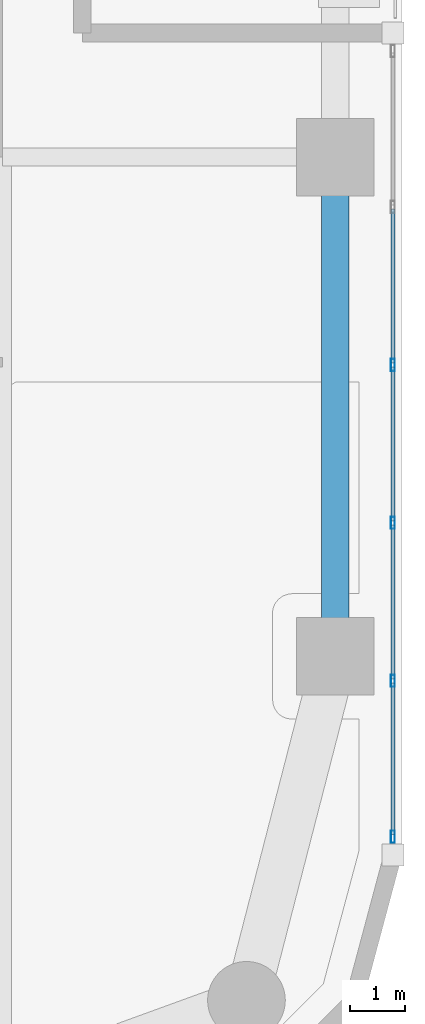
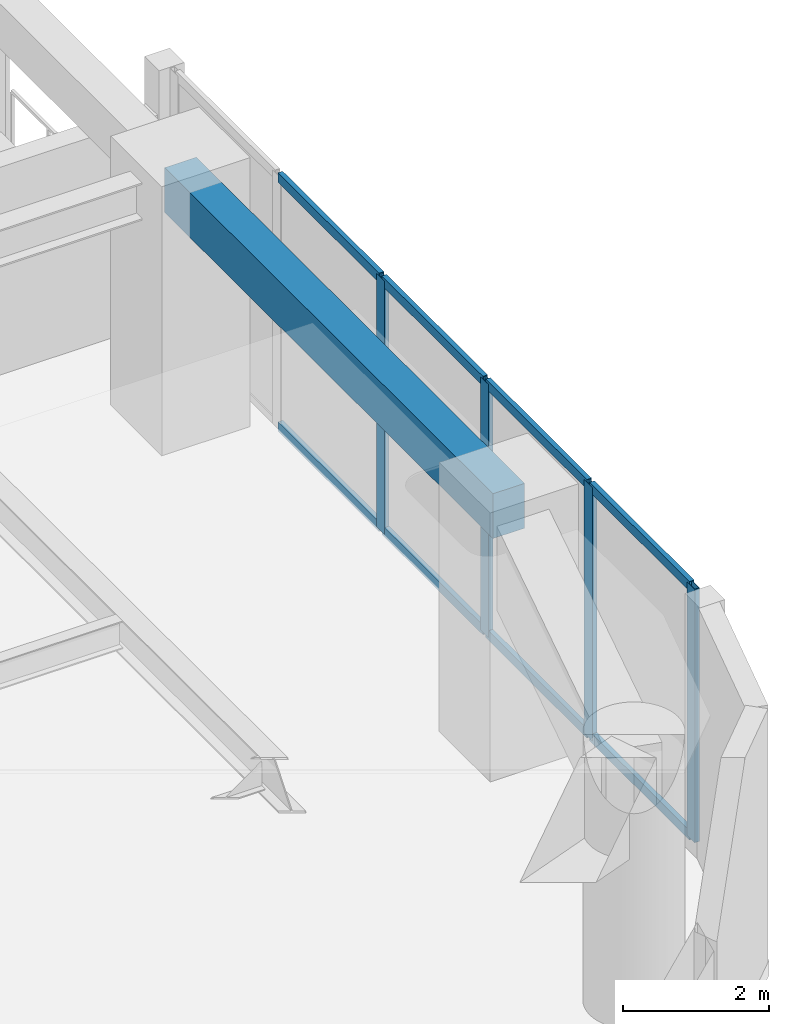
# One storey, part 4 of 20: 12 members, 1 beam, 1 element without a shape of its own.
"""IFC4 building model written with IfcOpenShell, lengths in metres."""

from ifc_helpers import new_model, si_unit, direction, frame, origin, origin_2d, place, context, subcontext, project, spatial, rectangle, hollow_rectangle, extrude, material, layer, layer_set, material_profile, profile_set, type_object, element, aggregate, save


model = new_model("IFC4")

# Units and contexts
model_context = context("Model", 3, precision=1e-05, world=origin(), true_north=direction((0.0, 1.0)))
body_context = subcontext(model_context, "Body", "Model", "MODEL_VIEW")
ifc_project = project(units=[si_unit("LENGTHUNIT", "METRE"), si_unit("AREAUNIT", "SQUARE_METRE"), si_unit("VOLUMEUNIT", "CUBIC_METRE"), si_unit("PLANEANGLEUNIT", "RADIAN"), si_unit("MASSUNIT", "GRAM", prefix="KILO")], contexts=[model_context])

# Site, building, storey
site_placement = place(None, origin())
site = spatial("IfcSite", under=ifc_project, at=site_placement, CompositionType="ELEMENT")
building_placement = place(site_placement, origin())
building = spatial("IfcBuilding", under=site, at=building_placement, Name="Kiyonajd Concourse Tower", CompositionType="ELEMENT")
storey_placement = place(building_placement, frame((0.0, 0.0, 125.39990234375)))
storey = spatial("IfcBuildingStorey", under=building, at=storey_placement, Name="L32", CompositionType="ELEMENT", Elevation=125.39990234375)

# Beam
ifc_material_1 = material(Name="Precast concrete C50/60", Category="concrete")
ifc_material_profile_1 = material_profile(ifc_material_1, rectangle(XDim=0.5, YDim=0.75, at=origin_2d()), Name="RCBM-500x750")
ifc_profile_set_1 = profile_set([ifc_material_profile_1], Name="Precast concrete C50/60")
beam_type = type_object("IfcBeamType", Name="BM-SPAN-RC", PredefinedType="SPANDREL", material=ifc_profile_set_1)
beam_placement = place(storey_placement, frame((69.60009765625, 18.60009765625, 3.864990234375), z_axis=(0.0, 1.0, 0.0), x_axis=(-1.0, 0.0, 0.0)))
element("IfcBeam", 1, at=beam_placement, inside=storey, type_object=beam_type, Name="L32 Perimeter Bundled Tube Spandrel", PredefinedType="SPANDREL", context=body_context, shape_type="SweptSolid", body=[
    extrude(rectangle(XDim=0.5, YDim=0.75, at=origin_2d()), origin(), (0.0, 0.0, 1.0), 9.0),
])

# Curtain wall, members
ifc_material_2 = material(Name="Thermally Broken Anodised Aluminium", Category="aluminium")
ifc_layer = layer(ifc_material_2, 0.179931640625)
ifc_layer_set = layer_set([ifc_layer], Name="Thermally Broken Anodised Aluminium")
curtain_wall_type = type_object("IfcCurtainWallType", Name="CW-SYS-05", PredefinedType="NOTDEFINED", material=ifc_layer_set)
curtain_wall_placement = place(storey_placement, origin())
curtain_wall = element("IfcCurtainWall", 2, at=curtain_wall_placement, inside=storey, type_object=curtain_wall_type, Name="L32 Unitised Curtain Wall CW5", PredefinedType="NOTDEFINED")
ifc_material_profile_2 = material_profile(ifc_material_2, hollow_rectangle(XDim=0.074951171875, YDim=0.219970703125, WallThickness=0.0048828125, at=origin_2d()), Name="MULL-75x220")
ifc_profile_set_2 = profile_set([ifc_material_profile_2], Name="Thermally Broken Anodised Aluminium")
member_type_1 = type_object("IfcMemberType", Name="MB-CW-MULL2", PredefinedType="MULLION", material=ifc_profile_set_2)
member_1_placement = place(storey_placement, frame((70.639892578125, 23.8544921875, 0.0), z_axis=(0.0, 0.0, 1.0), x_axis=(1.0, 0.0, 0.0)))
member_1 = element("IfcMember", 3, at=member_1_placement, type_object=member_type_1, Name="CW5 mullion 3", PredefinedType="MULLION", context=body_context, shape_type="SweptSolid", body=[
    extrude(hollow_rectangle(XDim=0.074951171875, YDim=0.219970703125, WallThickness=0.0048828125, at=origin_2d()), origin(), (0.0, 0.0, 1.0), 4.239990234375),
])
member_2_placement = place(storey_placement, frame((70.639892578125, 21.006591796875, 0.0), z_axis=(0.0, 0.0, 1.0), x_axis=(1.0, 0.0, 0.0)))
member_2 = element("IfcMember", 4, at=member_2_placement, type_object=member_type_1, Name="CW5 mullion 4", PredefinedType="MULLION", context=body_context, shape_type="SweptSolid", body=[
    extrude(hollow_rectangle(XDim=0.074951171875, YDim=0.219970703125, WallThickness=0.0048828125, at=origin_2d()), origin(), (0.0, 0.0, 1.0), 4.239990234375),
])
member_3_placement = place(storey_placement, frame((70.639892578125, 18.158935546875, 0.0), z_axis=(0.0, 0.0, 1.0), x_axis=(1.0, 0.0, 0.0)))
member_3 = element("IfcMember", 5, at=member_3_placement, type_object=member_type_1, Name="CW5 mullion 5", PredefinedType="MULLION", context=body_context, shape_type="SweptSolid", body=[
    extrude(hollow_rectangle(XDim=0.074951171875, YDim=0.219970703125, WallThickness=0.0048828125, at=origin_2d()), origin(), (0.0, 0.0, 1.0), 4.239990234375),
])
member_4_placement = place(storey_placement, frame((70.639892578125, 15.3486328125, 0.0), z_axis=(0.0, 0.0, 1.0), x_axis=(1.0, 0.0, 0.0)))
member_4 = element("IfcMember", 6, at=member_4_placement, type_object=member_type_1, Name="CW5 mullion 6", PredefinedType="MULLION", context=body_context, shape_type="SweptSolid", body=[
    extrude(hollow_rectangle(XDim=0.074951171875, YDim=0.219970703125, WallThickness=0.0048828125, at=origin_2d()), origin(), (0.0, 0.0, 1.0), 4.239990234375),
])
ifc_material_profile_3 = material_profile(ifc_material_2, hollow_rectangle(XDim=0.074951171875, YDim=0.159912109375, WallThickness=0.0048828125, at=origin_2d()), Name="TRAN-75x160")
ifc_profile_set_3 = profile_set([ifc_material_profile_3], Name="Thermally Broken Anodised Aluminium")
member_type_2 = type_object("IfcMemberType", Name="MB-CW-TRAN2", PredefinedType="USERDEFINED", material=ifc_profile_set_3)
member_5_placement = place(storey_placement, frame((70.639892578125, 26.664794921875, 0.03759765625), z_axis=(0.0, -1.0, 0.0), x_axis=(1.0, 0.0, 0.0)))
member_5 = element("IfcMember", 7, at=member_5_placement, type_object=member_type_2, Name="CW5 transom 2.1", ObjectType="TRANSOM", PredefinedType="USERDEFINED", context=body_context, shape_type="SweptSolid", body=[
    extrude(hollow_rectangle(XDim=0.074951171875, YDim=0.159912109375, WallThickness=0.0048828125, at=origin_2d()), origin(), (0.0, 0.0, 1.0), 2.77294921875),
])
member_6_placement = place(storey_placement, frame((70.639892578125, 26.664794921875, 4.20263671875), z_axis=(0.0, -1.0, 0.0), x_axis=(1.0, 0.0, 0.0)))
member_6 = element("IfcMember", 8, at=member_6_placement, type_object=member_type_2, Name="CW5 transom 2.2", ObjectType="TRANSOM", PredefinedType="USERDEFINED", context=body_context, shape_type="SweptSolid", body=[
    extrude(hollow_rectangle(XDim=0.074951171875, YDim=0.159912109375, WallThickness=0.0048828125, at=origin_2d()), origin(), (0.0, 0.0, 1.0), 2.77294921875),
])
member_7_placement = place(storey_placement, frame((70.639892578125, 23.81689453125, 0.03759765625), z_axis=(0.0, -1.0, 0.0), x_axis=(1.0, 0.0, 0.0)))
member_7 = element("IfcMember", 9, at=member_7_placement, type_object=member_type_2, Name="CW5 transom 3.1", ObjectType="TRANSOM", PredefinedType="USERDEFINED", context=body_context, shape_type="SweptSolid", body=[
    extrude(hollow_rectangle(XDim=0.074951171875, YDim=0.159912109375, WallThickness=0.0048828125, at=origin_2d()), origin(), (0.0, 0.0, 1.0), 2.772705078125),
])
member_8_placement = place(storey_placement, frame((70.639892578125, 23.81689453125, 4.20263671875), z_axis=(0.0, -1.0, 0.0), x_axis=(1.0, 0.0, 0.0)))
member_8 = element("IfcMember", 10, at=member_8_placement, type_object=member_type_2, Name="CW5 transom 3.2", ObjectType="TRANSOM", PredefinedType="USERDEFINED", context=body_context, shape_type="SweptSolid", body=[
    extrude(hollow_rectangle(XDim=0.074951171875, YDim=0.159912109375, WallThickness=0.0048828125, at=origin_2d()), origin(), (0.0, 0.0, 1.0), 2.772705078125),
])
member_9_placement = place(storey_placement, frame((70.639892578125, 20.96923828125, 0.03759765625), z_axis=(0.0, -1.0, 0.0), x_axis=(1.0, 0.0, 0.0)))
member_9 = element("IfcMember", 11, at=member_9_placement, type_object=member_type_2, Name="CW5 transom 4.1", ObjectType="TRANSOM", PredefinedType="USERDEFINED", context=body_context, shape_type="SweptSolid", body=[
    extrude(hollow_rectangle(XDim=0.074951171875, YDim=0.159912109375, WallThickness=0.0048828125, at=origin_2d()), origin(), (0.0, 0.0, 1.0), 2.77294921875),
])
member_10_placement = place(storey_placement, frame((70.639892578125, 20.96923828125, 4.20263671875), z_axis=(0.0, -1.0, 0.0), x_axis=(1.0, 0.0, 0.0)))
member_10 = element("IfcMember", 12, at=member_10_placement, type_object=member_type_2, Name="CW5 transom 4.2", ObjectType="TRANSOM", PredefinedType="USERDEFINED", context=body_context, shape_type="SweptSolid", body=[
    extrude(hollow_rectangle(XDim=0.074951171875, YDim=0.159912109375, WallThickness=0.0048828125, at=origin_2d()), origin(), (0.0, 0.0, 1.0), 2.77294921875),
])
member_11_placement = place(storey_placement, frame((70.639892578125, 18.121337890625, 0.03759765625), z_axis=(0.0, -1.0, 0.0), x_axis=(1.0, 0.0, 0.0)))
member_11 = element("IfcMember", 13, at=member_11_placement, type_object=member_type_2, Name="CW5 transom 5.1", ObjectType="TRANSOM", PredefinedType="USERDEFINED", context=body_context, shape_type="SweptSolid", body=[
    extrude(hollow_rectangle(XDim=0.074951171875, YDim=0.159912109375, WallThickness=0.0048828125, at=origin_2d()), origin(), (0.0, 0.0, 1.0), 2.7353515625),
])
member_12_placement = place(storey_placement, frame((70.639892578125, 18.121337890625, 4.20263671875), z_axis=(0.0, -1.0, 0.0), x_axis=(1.0, 0.0, 0.0)))
member_12 = element("IfcMember", 14, at=member_12_placement, type_object=member_type_2, Name="CW5 transom 5.2", ObjectType="TRANSOM", PredefinedType="USERDEFINED", context=body_context, shape_type="SweptSolid", body=[
    extrude(hollow_rectangle(XDim=0.074951171875, YDim=0.159912109375, WallThickness=0.0048828125, at=origin_2d()), origin(), (0.0, 0.0, 1.0), 2.7353515625),
])
aggregate(curtain_wall, [member_1, member_2, member_3, member_4, member_5, member_6, member_7, member_8, member_9, member_10, member_11, member_12])

save(model, "model.ifc")
